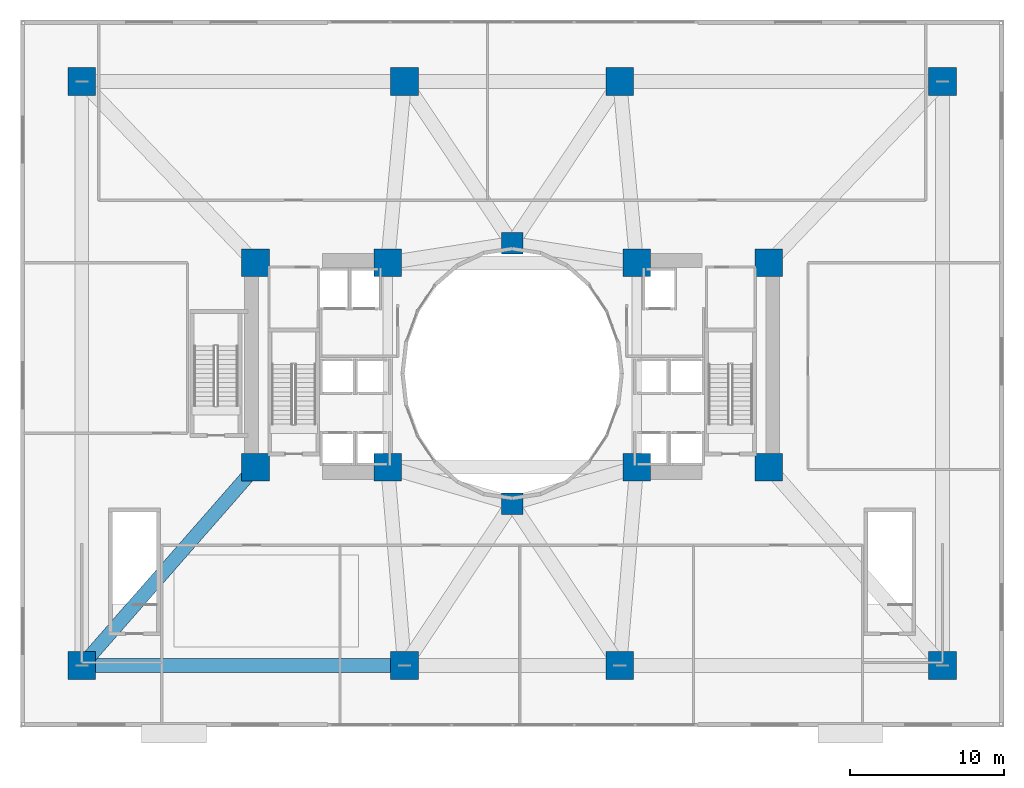
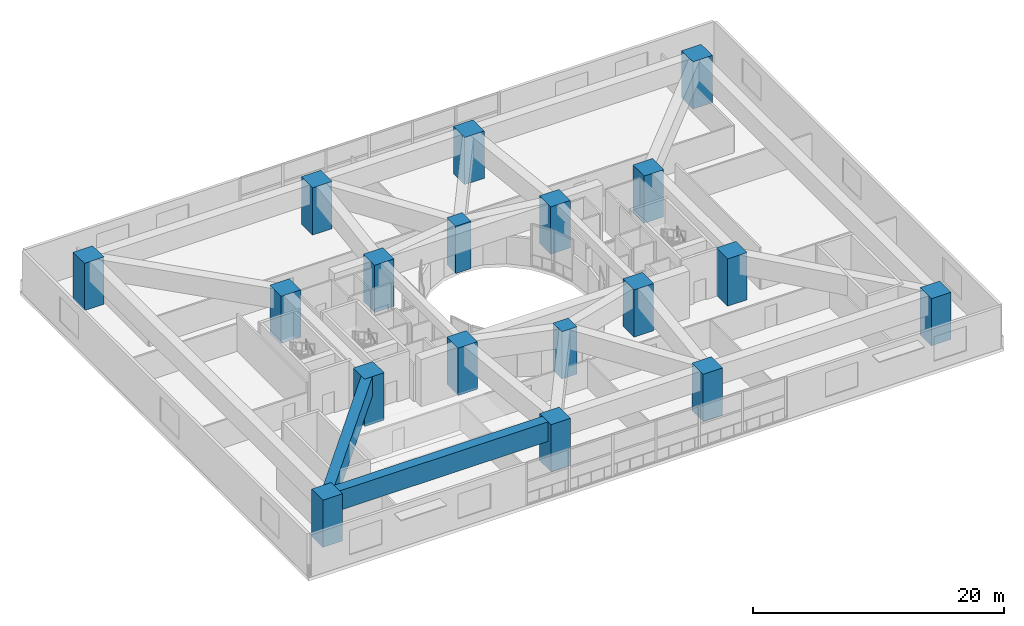
# One storey, part 1 of 27: 18 columns, 2 beams.
"""IFC4 building model written with IfcOpenShell, lengths in metres."""

import ifcopenshell
import ifcopenshell.guid

model = None  # the IFC model being written
_history = None  # IfcOwnerHistory: only IFC2X3 demands one
_inside = {}  # id of a spatial element -> (the spatial element, [elements in it])
_under = {}  # id of a project, library or spatial element -> (it, [spatial elements below it])
_declared = {}  # id of a project -> (the project, [libraries it declares])
_typed = {}  # id of a type object -> (the type object, [elements of that type])
_made_of = {}  # id of a material, layer set ... -> (it, [elements and type objects made of it])


def new_model(schema):
    """Start an empty IFC model of exactly this schema.

    Asked for "IFC4X3", IfcOpenShell would pick the latest addendum, in which some entities
    have other attributes; the version numbers below select the first issue.
    IFC2X3 requires an IfcOwnerHistory on every rooted entity: one is made here for all.
    """
    global model, _history
    if schema == "IFC4X3":
        model = ifcopenshell.file(schema_version=(4, 3, 0, 0))
    else:
        model = ifcopenshell.file(schema=schema)
    _inside.clear()
    _under.clear()
    _declared.clear()
    _typed.clear()
    _made_of.clear()
    _history = None
    if model.schema == "IFC2X3":
        org = make("IfcOrganization", Name="unknown")
        user = make(
            "IfcPersonAndOrganization",
            ThePerson=make("IfcPerson", FamilyName="unknown"),
            TheOrganization=org,
        )
        app = make(
            "IfcApplication",
            ApplicationDeveloper=org,
            Version="unknown",
            ApplicationFullName="unknown",
            ApplicationIdentifier="unknown",
        )
        _history = make(
            "IfcOwnerHistory",
            OwningUser=user,
            OwningApplication=app,
            ChangeAction="ADDED",
            CreationDate=0,
        )
    return model


def make(cls, **values):
    """One entity of the class cls with the attributes given. An attribute that is None is left unset."""
    return model.create_entity(
        cls, **{name: value for name, value in values.items() if value is not None}
    )


def rooted(cls, **values):
    """An entity with a GlobalId (a new one), such as an element, a storey or a relation."""
    return make(cls, GlobalId=ifcopenshell.guid.new(), OwnerHistory=_history, **values)


def si_unit(unit_type, name, prefix=None):
    """IfcSIUnit, for example si_unit("LENGTHUNIT", "METRE", prefix="MILLI")."""
    return make("IfcSIUnit", UnitType=unit_type, Prefix=prefix, Name=name)


def assignment(units):
    """IfcUnitAssignment: the units of a project."""
    return None if units is None else make("IfcUnitAssignment", Units=units)


def point(xyz):
    """IfcCartesianPoint."""
    return None if xyz is None else make("IfcCartesianPoint", Coordinates=xyz)


def direction(xyz):
    """IfcDirection."""
    return None if xyz is None else make("IfcDirection", DirectionRatios=xyz)


def frame(location, z_axis=None, x_axis=None):
    """IfcAxis2Placement3D, a coordinate frame: its origin and axes. An axis left out is left unset."""
    return make(
        "IfcAxis2Placement3D",
        Location=point(location),
        Axis=direction(z_axis),
        RefDirection=direction(x_axis),
    )


def frame_2d(location, x_axis=None):
    """IfcAxis2Placement2D, a coordinate frame in the plane: its origin and x axis."""
    return make(
        "IfcAxis2Placement2D", Location=point(location), RefDirection=direction(x_axis)
    )


def origin():
    """The frame at (0, 0, 0) with its axes left unset."""
    return frame((0.0, 0.0, 0.0))


def origin_2d():
    """The frame at (0, 0) in the plane with its x axis left unset."""
    return frame_2d((0.0, 0.0))


def place(relative_to, where):
    """IfcLocalPlacement: puts the frame where relative to a parent placement (None: the world)."""
    return make(
        "IfcLocalPlacement", PlacementRelTo=relative_to, RelativePlacement=where
    )


def context(
    kind, dimensions, precision=None, world=None, true_north=None, identifier=None
):
    """IfcGeometricRepresentationContext, for example the 3D "Model" context."""
    return make(
        "IfcGeometricRepresentationContext",
        ContextIdentifier=identifier,
        ContextType=kind,
        CoordinateSpaceDimension=dimensions,
        Precision=precision,
        WorldCoordinateSystem=world,
        TrueNorth=true_north,
    )


def subcontext(parent, identifier, kind, view, scale=None):
    """IfcGeometricRepresentationSubContext, for example "Body" below "Model"."""
    return make(
        "IfcGeometricRepresentationSubContext",
        ContextIdentifier=identifier,
        ContextType=kind,
        ParentContext=parent,
        TargetScale=scale,
        TargetView=view,
    )


def project(units=None, contexts=None):
    """IfcProject with its units and contexts."""
    return rooted(
        "IfcProject",
        Name="project",
        RepresentationContexts=contexts,
        UnitsInContext=assignment(units),
    )


def spatial(cls, under=None, at=None, **own):
    """A site, building, storey or space (cls), placed at a placement, below another one or the project."""
    s = rooted(cls, ObjectPlacement=at, **own)
    if under is not None:
        _under.setdefault(under.id(), (under, []))[1].append(s)
    return s


def profile(cls, at=None, kind="AREA", **sizes):
    """A parametric profile (cls). Its sizes go by their IFC names, for example OverallWidth=200.0."""
    return make(cls, ProfileType=kind, Position=at, **sizes)


def rectangle(**sizes):
    """IfcRectangleProfileDef."""
    return profile("IfcRectangleProfileDef", **sizes)


def extrude(swept, where, along, depth):
    """IfcExtrudedAreaSolid: the profile swept, set in the frame where, extruded along a direction by depth."""
    return make(
        "IfcExtrudedAreaSolid",
        SweptArea=swept,
        Position=where,
        ExtrudedDirection=direction(along),
        Depth=depth,
    )


def shape(context_of_items, identifier, shape_type, items):
    """IfcShapeRepresentation: the items that make up one representation, for example the "Body"."""
    return make(
        "IfcShapeRepresentation",
        ContextOfItems=context_of_items,
        RepresentationIdentifier=identifier,
        RepresentationType=shape_type,
        Items=items,
    )


def material(Name=None, Category=None):
    """IfcMaterial."""
    return make("IfcMaterial", Name=Name, Category=Category)


def material_profile(
    of_material, cross_section, Name=None, Category=None, Priority=None
):
    """IfcMaterialProfile: a cross section and its material."""
    return make(
        "IfcMaterialProfile",
        Name=Name,
        Material=of_material,
        Profile=cross_section,
        Priority=Priority,
        Category=Category,
    )


def profile_set(profiles, Name=None, composite=None):
    """IfcMaterialProfileSet."""
    return make(
        "IfcMaterialProfileSet",
        Name=Name,
        MaterialProfiles=profiles,
        CompositeProfile=composite,
    )


def made_of(thing, what):
    """Note that an element or type object is made of a material, layer set ...; save() writes the relation."""
    if what is not None:
        _made_of.setdefault(what.id(), (what, []))[1].append(thing)
    return thing


def type_object(cls, material=None, **own):
    """A type object (cls), such as IfcWallType, which elements share."""
    return made_of(rooted(cls, **own), material)


def element(
    cls,
    number,
    at=None,
    inside=None,
    cuts=None,
    type_object=None,
    material=None,
    context=None,
    identifier="Body",
    shape_type=None,
    held_by="IfcProductDefinitionShape",
    body=None,
    shapes=None,
    **own,
):
    """One element of the class cls, such as IfcWall. Its Tag is "e" and its number.

    at: its placement. inside: the storey or other place that contains it. cuts: it is an
    opening in that element (IfcRelVoidsElement). A single representation is given by context,
    identifier, shape_type and body (its items); several are given by shapes. held_by: the class
    of the entity that holds the representations. save() writes the other relations.
    """
    e = rooted(cls, Tag="e%d" % number, ObjectPlacement=at, **own)
    if body is not None:
        shapes = [shape(context, identifier, shape_type, body)]
    if shapes is not None:
        e.Representation = make(held_by, Representations=shapes)
    if inside is not None:
        _inside.setdefault(inside.id(), (inside, []))[1].append(e)
    if cuts is not None:
        rooted(
            "IfcRelVoidsElement", RelatingBuildingElement=cuts, RelatedOpeningElement=e
        )
    if type_object is not None:
        _typed.setdefault(type_object.id(), (type_object, []))[1].append(e)
    return made_of(e, material)


def aggregate(whole, parts):
    """IfcRelAggregates: a whole, such as a stair, and the parts it consists of."""
    return rooted("IfcRelAggregates", RelatingObject=whole, RelatedObjects=parts)


def save(model, path):
    """Write the relations noted so far, then the file.

    IfcRelAggregates (storeys below a building ...), IfcRelContainedInSpatialStructure (elements
    in a storey), IfcRelDefinesByType, IfcRelAssociatesMaterial and IfcRelDeclares: one each for
    every whole, place, type object, material and project.
    """
    for whole, parts in _under.values():
        aggregate(whole, parts)
    for where, things in _inside.values():
        rooted(
            "IfcRelContainedInSpatialStructure",
            RelatedElements=things,
            RelatingStructure=where,
        )
    for kind, things in _typed.values():
        rooted("IfcRelDefinesByType", RelatedObjects=things, RelatingType=kind)
    for what, things in _made_of.values():
        rooted("IfcRelAssociatesMaterial", RelatedObjects=things, RelatingMaterial=what)
    for by, libraries in _declared.values():
        rooted("IfcRelDeclares", RelatingContext=by, RelatedDefinitions=libraries)
    model.write(path)


model = new_model("IFC4")

# Units and contexts
model_context = context("Model", 3, precision=1e-05, world=origin(), true_north=direction((0.0, 1.0)))
body_context = subcontext(model_context, "Body", "Model", "MODEL_VIEW")
ifc_project = project(units=[si_unit("LENGTHUNIT", "METRE"), si_unit("AREAUNIT", "SQUARE_METRE"), si_unit("VOLUMEUNIT", "CUBIC_METRE"), si_unit("PLANEANGLEUNIT", "RADIAN"), si_unit("MASSUNIT", "GRAM", prefix="KILO")], contexts=[model_context])

# Site, building, storey
site_placement = place(None, origin())
site = spatial("IfcSite", under=ifc_project, at=site_placement, CompositionType="ELEMENT")
building_placement = place(site_placement, origin())
building = spatial("IfcBuilding", under=site, at=building_placement, Name="Solvane Sanctuary Tower", CompositionType="ELEMENT")
storey_placement = place(building_placement, frame((0.0, 0.0, 23.0)))
storey = spatial("IfcBuildingStorey", under=building, at=storey_placement, Name="L06", CompositionType="ELEMENT", Elevation=23.0)

# Columns
ifc_material_1 = material(Name="Concrete C70/85", Category="concrete")
ifc_material_profile_1 = material_profile(ifc_material_1, rectangle(XDim=1.800048828125, YDim=1.800048828125, at=origin_2d()), Name="RC1800X1800")
ifc_profile_set_1 = profile_set([ifc_material_profile_1], Name="Concrete C70/85")
column_type_1 = type_object("IfcColumnType", Name="Column C-MEGA RC1800X1800", PredefinedType="COLUMN", material=ifc_profile_set_1)
for number, where, z_axis, x_axis, name in (
    (1, (15.300048828125, 16.89990234375, 0.0), (0.0, 0.0, 1.0), (1.0, 0.0, 0.0), "L06 Core Corner Column CW1"),
    (2, (23.89990234375, 16.89990234375, 0.0), (0.0, 0.0, 1.0), (1.0, 0.0, 0.0), "L06 Core Corner Column CW2"),
    (3, (23.89990234375, 30.199951171875, 0.0), (0.0, 0.0, 1.0), (1.0, 0.0, 0.0), "L06 Core Corner Column CW3"),
    (4, (15.300048828125, 30.199951171875, 0.0), (0.0, 0.0, 1.0), (1.0, 0.0, 0.0), "L06 Core Corner Column CW4"),
    (5, (40.10009765625, 16.89990234375, 0.0), (0.0, 0.0, 1.0), (1.0, 0.0, 0.0), "L06 Core Corner Column CE1"),
    (6, (48.699951171875, 16.89990234375, 0.0), (0.0, 0.0, 1.0), (1.0, 0.0, 0.0), "L06 Core Corner Column CE2"),
    (7, (48.699951171875, 30.199951171875, 0.0), (0.0, 0.0, 1.0), (1.0, 0.0, 0.0), "L06 Core Corner Column CE3"),
    (8, (40.10009765625, 30.199951171875, 0.0), (0.0, 0.0, 1.0), (1.0, 0.0, 0.0), "L06 Core Corner Column CE4"),
    (9, (4.0, 4.0, 0.0), (0.0, 0.0, 1.0), (1.0, 0.0, 0.0), "L06 Podium Mega-Column MC1"),
    (10, (25.0, 4.0, 0.0), (0.0, 0.0, 1.0), (1.0, 0.0, 0.0), "L06 Podium Mega-Column MC2"),
    (11, (39.0, 4.0, 0.0), (0.0, 0.0, 1.0), (1.0, 0.0, 0.0), "L06 Podium Mega-Column MC3"),
    (12, (60.0, 4.0, 0.0), (0.0, 0.0, 1.0), (1.0, 0.0, 0.0), "L06 Podium Mega-Column MC4"),
    (13, (60.0, 42.0, 0.0), (0.0, 0.0, 1.0), (1.0, 0.0, 0.0), "L06 Podium Mega-Column MC5"),
    (14, (39.0, 42.0, 0.0), (0.0, 0.0, 1.0), (1.0, 0.0, 0.0), "L06 Podium Mega-Column MC6"),
    (15, (25.0, 42.0, 0.0), (0.0, 0.0, 1.0), (1.0, 0.0, 0.0), "L06 Podium Mega-Column MC7"),
    (16, (4.0, 42.0, 0.0), (0.0, 0.0, 1.0), (1.0, 0.0, 0.0), "L06 Podium Mega-Column MC8"),
):
    element("IfcColumn", number, at=place(storey_placement, frame(where, z_axis=z_axis, x_axis=x_axis)), inside=storey, type_object=column_type_1, Name=name, PredefinedType="COLUMN", context=body_context, shape_type="SweptSolid", body=[
        extrude(rectangle(XDim=1.800048828125, YDim=1.800048828125, at=origin_2d()), origin(), (0.0, 0.0, 1.0), 4.60009765625),
    ])
ifc_material_profile_2 = material_profile(ifc_material_1, rectangle(XDim=1.39990234375, YDim=1.39990234375, at=origin_2d()), Name="RC1400X1400")
ifc_profile_set_2 = profile_set([ifc_material_profile_2], Name="Concrete C70/85")
column_type_2 = type_object("IfcColumnType", Name="Column C-POD-INT RC1400X1400", PredefinedType="COLUMN", material=ifc_profile_set_2)
for number, where, z_axis, x_axis, name in (
    (17, (32.0, 14.5400390625, 0.0), (0.0, 0.0, 1.0), (1.0, 0.0, 0.0), "L06 Podium Transfer Spine Column PCS"),
    (18, (32.0, 31.4599609375, 0.0), (0.0, 0.0, 1.0), (1.0, 0.0, 0.0), "L06 Podium Transfer Spine Column PCN"),
):
    element("IfcColumn", number, at=place(storey_placement, frame(where, z_axis=z_axis, x_axis=x_axis)), inside=storey, type_object=column_type_2, Name=name, PredefinedType="COLUMN", context=body_context, shape_type="SweptSolid", body=[
        extrude(rectangle(XDim=1.39990234375, YDim=1.39990234375, at=origin_2d()), origin(), (0.0, 0.0, 1.0), 4.60009765625),
    ])

# Beams
ifc_material_2 = material(Name="Concrete C60/75", Category="concrete")
ifc_material_profile_3 = material_profile(ifc_material_2, rectangle(XDim=0.89990234375, YDim=1.89990234375, at=origin_2d()), Name="RC900X1900")
ifc_profile_set_3 = profile_set([ifc_material_profile_3], Name="Concrete C60/75")
beam_type = type_object("IfcBeamType", Name="Beam B-XFER-POD RC900X1900", PredefinedType="BEAM", material=ifc_profile_set_3)
beam_1_placement = place(storey_placement, frame((4.300048828125, 4.0, 3.64990234375), z_axis=(1.0, 0.0, 0.0), x_axis=(0.0, 1.0, 0.0)))
element("IfcBeam", 19, at=beam_1_placement, inside=storey, type_object=beam_type, Name="L06 Podium Transfer Girder XP01", PredefinedType="BEAM", context=body_context, shape_type="SweptSolid", body=[
    extrude(rectangle(XDim=0.89990234375, YDim=1.89990234375, at=origin_2d()), origin(), (0.0, 0.0, 1.0), 20.39990234375),
])
beam_2_placement = place(storey_placement, frame((4.19775390625, 4.2255859375, 3.64990234375), z_axis=(0.658911831778, 0.752220179165, 0.0), x_axis=(-0.752220179165, 0.658911831778, 0.0)))
element("IfcBeam", 20, at=beam_2_placement, inside=storey, type_object=beam_type, Name="L06 Podium Transfer Girder XP09", PredefinedType="BEAM", context=body_context, shape_type="SweptSolid", body=[
    extrude(rectangle(XDim=0.89990234375, YDim=1.89990234375, at=origin_2d()), origin(), (0.0, 0.0, 1.0), 16.54931640625),
])

save(model, "model.ifc")
